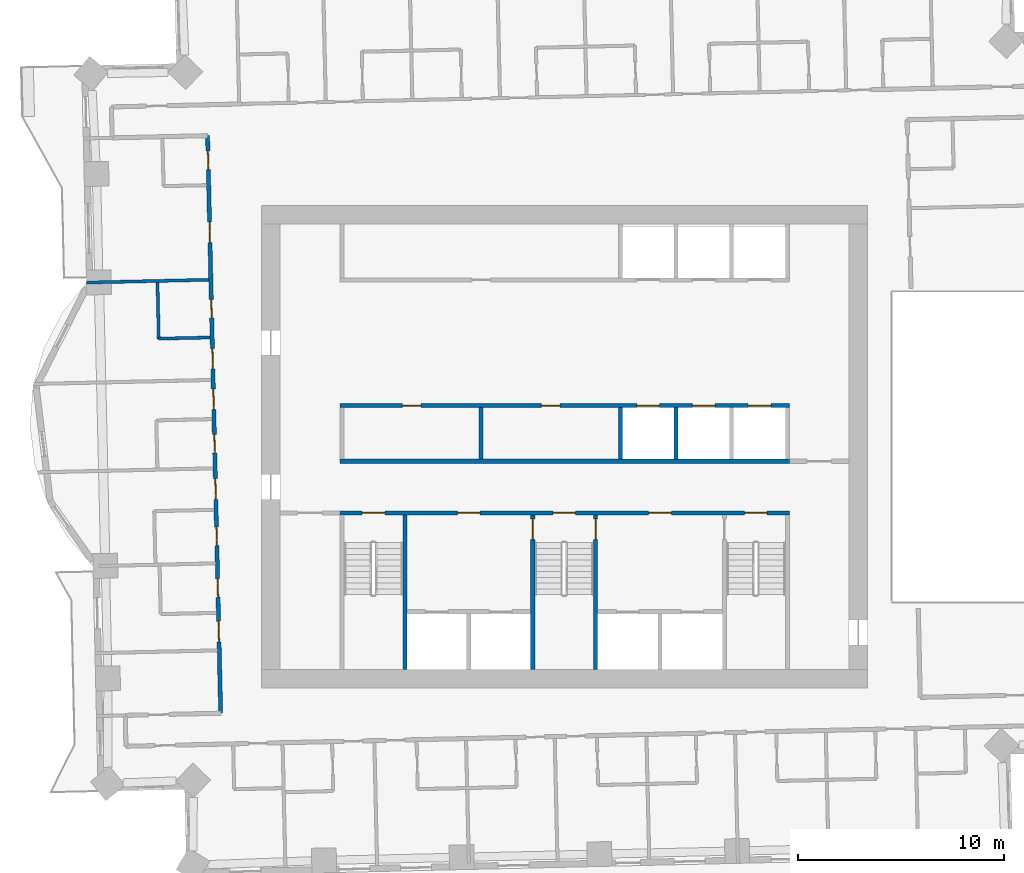
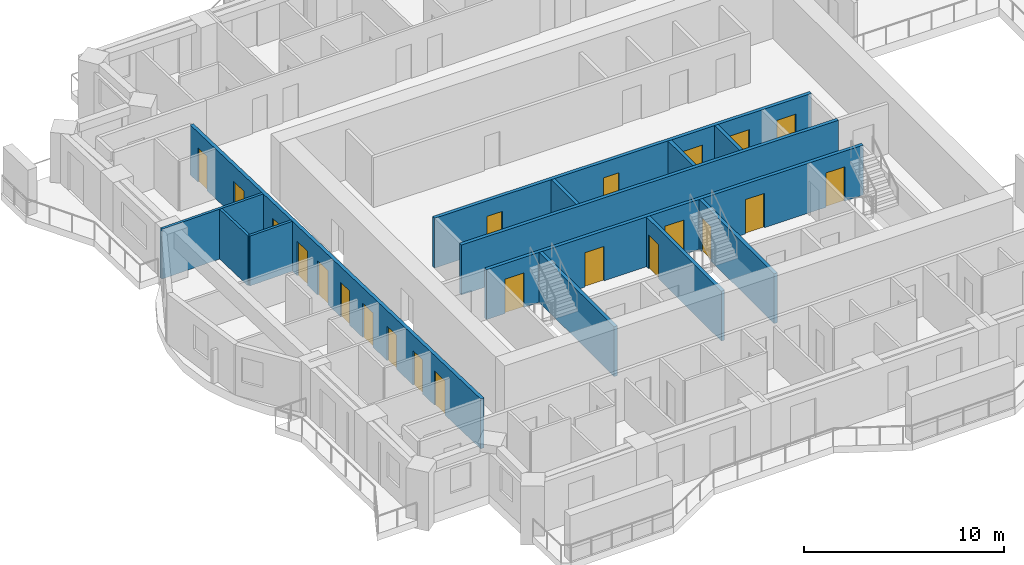
# One storey, part 8 of 16: 22 doors, 13 walls, 22 openings.
"""IFC4 building model written with IfcOpenShell, lengths in metres."""

from ifc_helpers import new_model, si_unit, direction, frame, frame_2d, origin, place, context, subcontext, project, spatial, rectangle, extrude, material, layer, layer_set, type_object, element, fill, save


model = new_model("IFC4")

# Units and contexts
model_context = context("Model", 3, precision=1e-05, world=origin(), true_north=direction((0.0, 1.0)))
body_context = subcontext(model_context, "Body", "Model", "MODEL_VIEW")
ifc_project = project(units=[si_unit("LENGTHUNIT", "METRE"), si_unit("AREAUNIT", "SQUARE_METRE"), si_unit("VOLUMEUNIT", "CUBIC_METRE"), si_unit("PLANEANGLEUNIT", "RADIAN"), si_unit("MASSUNIT", "GRAM", prefix="KILO")], contexts=[model_context])

# Site, building, storey
site_placement = place(None, origin())
site = spatial("IfcSite", under=ifc_project, at=site_placement, CompositionType="ELEMENT")
building_placement = place(site_placement, origin())
building = spatial("IfcBuilding", under=site, at=building_placement, Name="Mangrove Gate Tower", CompositionType="ELEMENT")
storey_placement = place(building_placement, frame((0.0, 0.0, 189.699951171875)))
storey = spatial("IfcBuildingStorey", under=building, at=storey_placement, Name="L48", CompositionType="ELEMENT", Elevation=189.699951171875)

# Walls
ifc_material_1 = material(Name="Concrete C32/40", Category="concrete")
ifc_layer_1 = layer(ifc_material_1, 0.199951171875)
ifc_layer_set_1 = layer_set([ifc_layer_1], Name="Core room wall 200 C32/40")
wall_type_1 = type_object("IfcWallType", Name="Core room wall 200 C32/40", PredefinedType="STANDARD", material=ifc_layer_set_1)
wall_1_placement = place(storey_placement, frame((-4.050048828125, -0.60009765625, 0.0), z_axis=(0.0, 0.0, 1.0), x_axis=(0.0, 1.0, 0.0)))
element("IfcWall", 1, at=wall_1_placement, inside=storey, type_object=wall_type_1, Name="WALL-L48-CORE-20", PredefinedType="STANDARD", context=body_context, shape_type="SweptSolid", body=[
    extrude(rectangle(XDim=2.5, YDim=0.199951171875, at=frame_2d((1.25, 0.0))), origin(), (0.0, 0.0, 1.0), 3.050048828125),
])
ifc_material_2 = material(Name="Concrete C60/75", Category="concrete")
ifc_layer_2 = layer(ifc_material_2, 0.199951171875)
ifc_layer_set_2 = layer_set([ifc_layer_2], Name="Core shaft wall 200 C60/75")
wall_type_2 = type_object("IfcWallType", Name="Core shaft wall 200 C60/75", PredefinedType="SHEAR", material=ifc_layer_set_2)
wall_2_placement = place(storey_placement, frame((-10.89990234375, -0.699951171875, 0.0), z_axis=(0.0, 0.0, 1.0), x_axis=(1.0, 0.0, 0.0)))
element("IfcWall", 2, at=wall_2_placement, inside=storey, type_object=wall_type_2, Name="WALL-L48-CORE-6", PredefinedType="SHEAR", context=body_context, shape_type="SweptSolid", body=[
    extrude(rectangle(XDim=21.7998046875, YDim=0.199951171875, at=frame_2d((10.89990234375, 0.0))), origin(), (0.0, 0.0, 1.0), 3.050048828125),
])

# Wall, openings, doors
wall_3_placement = place(storey_placement, frame((-10.89990234375, 2.0, 0.0), z_axis=(0.0, 0.0, 1.0), x_axis=(1.0, 0.0, 0.0)))
wall_3 = element("IfcWall", 3, at=wall_3_placement, inside=storey, type_object=wall_type_2, Name="WALL-L48-CORE-7", PredefinedType="SHEAR", context=body_context, shape_type="SweptSolid", body=[
    extrude(rectangle(XDim=21.7998046875, YDim=0.199951171875, at=frame_2d((10.89990234375, 0.0))), origin(), (0.0, 0.0, 1.0), 3.050048828125),
])
opening_1_placement = place(wall_3_placement, frame((14.39990234375, 0.0, 0.0)))
opening_1 = element("IfcOpeningElement", 4, at=opening_1_placement, cuts=wall_3, Name="Opening LD", PredefinedType="OPENING", context=body_context, shape_type="SweptSolid", body=[
    extrude(rectangle(XDim=1.10009765625, YDim=2.10009765625, at=frame_2d((0.550048828125, 1.050048828125))), frame((0.0, 0.10986328125, 0.0), z_axis=(0.0, -1.0, 0.0), x_axis=(1.0, 0.0, 0.0)), (0.0, 0.0, 1.0), 0.219970703125),
])
opening_2_placement = place(wall_3_placement, frame((17.10009765625, 0.0, 0.0)))
opening_2 = element("IfcOpeningElement", 5, at=opening_2_placement, cuts=wall_3, Name="Opening LD", PredefinedType="OPENING", context=body_context, shape_type="SweptSolid", body=[
    extrude(rectangle(XDim=1.10009765625, YDim=2.10009765625, at=frame_2d((0.550048828125, 1.050048828125))), frame((0.0, 0.10986328125, 0.0), z_axis=(0.0, -1.0, 0.0), x_axis=(1.0, 0.0, 0.0)), (0.0, 0.0, 1.0), 0.219970703125),
])
opening_3_placement = place(wall_3_placement, frame((19.800048828125, 0.0, 0.0)))
opening_3 = element("IfcOpeningElement", 6, at=opening_3_placement, cuts=wall_3, Name="Opening LD", PredefinedType="OPENING", context=body_context, shape_type="SweptSolid", body=[
    extrude(rectangle(XDim=1.10009765625, YDim=2.10009765625, at=frame_2d((0.550048828125, 1.050048828125))), frame((0.0, 0.10986328125, 0.0), z_axis=(0.0, -1.0, 0.0), x_axis=(1.0, 0.0, 0.0)), (0.0, 0.0, 1.0), 0.219970703125),
])
opening_4_placement = place(wall_3_placement, frame((3.02490234375, 0.0, 0.0)))
opening_4 = element("IfcOpeningElement", 7, at=opening_4_placement, cuts=wall_3, Name="Opening KD", PredefinedType="OPENING", context=body_context, shape_type="SweptSolid", body=[
    extrude(rectangle(XDim=0.89990234375, YDim=2.10009765625, at=frame_2d((0.449951171875, 1.050048828125))), frame((0.0, 0.10986328125, 0.0), z_axis=(0.0, -1.0, 0.0), x_axis=(1.0, 0.0, 0.0)), (0.0, 0.0, 1.0), 0.219970703125),
])
opening_5_placement = place(wall_3_placement, frame((9.77490234375, 0.0, 0.0)))
opening_5 = element("IfcOpeningElement", 8, at=opening_5_placement, cuts=wall_3, Name="Opening RD", PredefinedType="OPENING", context=body_context, shape_type="SweptSolid", body=[
    extrude(rectangle(XDim=0.89990234375, YDim=2.10009765625, at=frame_2d((0.449951171875, 1.050048828125))), frame((0.0, 0.10986328125, 0.0), z_axis=(0.0, -1.0, 0.0), x_axis=(1.0, 0.0, 0.0)), (0.0, 0.0, 1.0), 0.219970703125),
])
ifc_material_3 = material(Name="Fire-rated steel door set", Category="steel")
door_type_1 = type_object("IfcDoorType", Name="Core room door FD30S 900x2100", OperationType="SINGLE_SWING_RIGHT", PredefinedType="DOOR", material=ifc_material_3)
door_1_placement = place(opening_4_placement, origin())
door_1 = element("IfcDoor", 9, at=door_1_placement, inside=storey, type_object=door_type_1, Name="Core room door Linen store", OperationType="SINGLE_SWING_RIGHT", OverallHeight=2.10009765625, OverallWidth=0.89990234375, PredefinedType="DOOR", context=body_context, shape_type="SweptSolid", body=[
    extrude(rectangle(XDim=0.89990234375, YDim=2.10009765625, at=frame_2d((0.449951171875, 1.050048828125))), frame((0.0, 0.02490234375, 0.0), z_axis=(0.0, -1.0, 0.0), x_axis=(1.0, 0.0, 0.0)), (0.0, 0.0, 1.0), 0.050048828125),
])
fill(opening_4, door_1)
ifc_material_4 = material(Name="Stainless steel 316", Category="steel")
door_type_2 = type_object("IfcDoorType", Name="Lift landing door 1100x2100", OperationType="SLIDING_TO_LEFT", PredefinedType="DOOR", material=ifc_material_4)
door_2_placement = place(opening_1_placement, origin())
door_2 = element("IfcDoor", 10, at=door_2_placement, inside=storey, type_object=door_type_2, Name="Landing door LD M01", OperationType="SLIDING_TO_LEFT", OverallHeight=2.10009765625, OverallWidth=1.10009765625, PredefinedType="DOOR", context=body_context, shape_type="SweptSolid", body=[
    extrude(rectangle(XDim=1.10009765625, YDim=2.10009765625, at=frame_2d((0.550048828125, 1.050048828125))), frame((0.0, 0.02490234375, 0.0), z_axis=(0.0, -1.0, 0.0), x_axis=(1.0, 0.0, 0.0)), (0.0, 0.0, 1.0), 0.050048828125),
])
fill(opening_1, door_2)
door_3_placement = place(opening_2_placement, origin())
door_3 = element("IfcDoor", 11, at=door_3_placement, inside=storey, type_object=door_type_2, Name="Landing door LD M02", OperationType="SLIDING_TO_LEFT", OverallHeight=2.10009765625, OverallWidth=1.10009765625, PredefinedType="DOOR", context=body_context, shape_type="SweptSolid", body=[
    extrude(rectangle(XDim=1.10009765625, YDim=2.10009765625, at=frame_2d((0.550048828125, 1.050048828125))), frame((0.0, 0.02490234375, 0.0), z_axis=(0.0, -1.0, 0.0), x_axis=(1.0, 0.0, 0.0)), (0.0, 0.0, 1.0), 0.050048828125),
])
fill(opening_2, door_3)
door_4_placement = place(opening_3_placement, origin())
door_4 = element("IfcDoor", 12, at=door_4_placement, inside=storey, type_object=door_type_2, Name="Landing door LD M03", OperationType="SLIDING_TO_LEFT", OverallHeight=2.10009765625, OverallWidth=1.10009765625, PredefinedType="DOOR", context=body_context, shape_type="SweptSolid", body=[
    extrude(rectangle(XDim=1.10009765625, YDim=2.10009765625, at=frame_2d((0.550048828125, 1.050048828125))), frame((0.0, 0.02490234375, 0.0), z_axis=(0.0, -1.0, 0.0), x_axis=(1.0, 0.0, 0.0)), (0.0, 0.0, 1.0), 0.050048828125),
])
fill(opening_3, door_4)
ifc_material_5 = material(Name="Fire-rated steel door set", Category="steel")
door_type_3 = type_object("IfcDoorType", Name="Riser door FD30S 900x2100", OperationType="SINGLE_SWING_LEFT", PredefinedType="DOOR", material=ifc_material_5)
door_5_placement = place(opening_5_placement, origin())
door_5 = element("IfcDoor", 13, at=door_5_placement, inside=storey, type_object=door_type_3, Name="Riser door Switch room", OperationType="SINGLE_SWING_LEFT", OverallHeight=2.10009765625, OverallWidth=0.89990234375, PredefinedType="DOOR", context=body_context, shape_type="SweptSolid", body=[
    extrude(rectangle(XDim=0.89990234375, YDim=2.10009765625, at=frame_2d((0.449951171875, 1.050048828125))), frame((0.0, 0.02490234375, 0.0), z_axis=(0.0, -1.0, 0.0), x_axis=(1.0, 0.0, 0.0)), (0.0, 0.0, 1.0), 0.050048828125),
])
fill(opening_5, door_5)

# Walls
for number, where, z_axis, x_axis, name in (
    (14, (2.699951171875, -0.60009765625, 0.0), (0.0, 0.0, 1.0), (0.0, 1.0, 0.0), "WALL-L48-CORE-21"),
    (15, (5.39990234375, -0.60009765625, 0.0), (0.0, 0.0, 1.0), (0.0, 1.0, 0.0), "WALL-L48-CORE-22"),
):
    element("IfcWall", number, at=place(storey_placement, frame(where, z_axis=z_axis, x_axis=x_axis)), inside=storey, type_object=wall_type_2, Name=name, PredefinedType="SHEAR", context=body_context, shape_type="SweptSolid", body=[
        extrude(rectangle(XDim=2.5, YDim=0.199951171875, at=frame_2d((1.25, 0.0))), origin(), (0.0, 0.0, 1.0), 3.050048828125),
    ])

# Wall, openings, doors
ifc_material_6 = material(Name="Concrete C60/75", Category="concrete")
ifc_layer_3 = layer(ifc_material_6, 0.199951171875)
ifc_layer_set_3 = layer_set([ifc_layer_3], Name="Core stair wall 200 C60/75")
wall_type_3 = type_object("IfcWallType", Name="Core stair wall 200 C60/75", PredefinedType="SHEAR", material=ifc_layer_set_3)
wall_4_placement = place(storey_placement, frame((-10.89990234375, -3.199951171875, 0.0), z_axis=(0.0, 0.0, 1.0), x_axis=(1.0, 0.0, 0.0)))
wall_4 = element("IfcWall", 16, at=wall_4_placement, inside=storey, type_object=wall_type_3, Name="WALL-L48-CORE-5", PredefinedType="SHEAR", context=body_context, shape_type="SweptSolid", body=[
    extrude(rectangle(XDim=21.7998046875, YDim=0.199951171875, at=frame_2d((10.89990234375, 0.0))), origin(), (0.0, 0.0, 1.0), 3.050048828125),
])
opening_6_placement = place(wall_4_placement, frame((1.074951171875, 0.0, 0.0)))
opening_6 = element("IfcOpeningElement", 17, at=opening_6_placement, cuts=wall_4, Name="Opening STD11", PredefinedType="OPENING", context=body_context, shape_type="SweptSolid", body=[
    extrude(rectangle(XDim=1.10009765625, YDim=2.10009765625, at=frame_2d((0.550048828125, 1.050048828125))), frame((0.0, 0.10986328125, 0.0), z_axis=(0.0, -1.0, 0.0), x_axis=(1.0, 0.0, 0.0)), (0.0, 0.0, 1.0), 0.219970703125),
])
opening_7_placement = place(wall_4_placement, frame((10.324951171875, 0.0, 0.0)))
opening_7 = element("IfcOpeningElement", 18, at=opening_7_placement, cuts=wall_4, Name="Opening STD11", PredefinedType="OPENING", context=body_context, shape_type="SweptSolid", body=[
    extrude(rectangle(XDim=1.10009765625, YDim=2.10009765625, at=frame_2d((0.550048828125, 1.050048828125))), frame((0.0, 0.10986328125, 0.0), z_axis=(0.0, -1.0, 0.0), x_axis=(1.0, 0.0, 0.0)), (0.0, 0.0, 1.0), 0.219970703125),
])
opening_8_placement = place(wall_4_placement, frame((19.625, 0.0, 0.0)))
opening_8 = element("IfcOpeningElement", 19, at=opening_8_placement, cuts=wall_4, Name="Opening STD11", PredefinedType="OPENING", context=body_context, shape_type="SweptSolid", body=[
    extrude(rectangle(XDim=1.10009765625, YDim=2.10009765625, at=frame_2d((0.550048828125, 1.050048828125))), frame((0.0, 0.10986328125, 0.0), z_axis=(0.0, -1.0, 0.0), x_axis=(1.0, 0.0, 0.0)), (0.0, 0.0, 1.0), 0.219970703125),
])
opening_9_placement = place(wall_4_placement, frame((5.699951171875, 0.0, 0.0)))
opening_9 = element("IfcOpeningElement", 20, at=opening_9_placement, cuts=wall_4, Name="Opening FL", PredefinedType="OPENING", context=body_context, shape_type="SweptSolid", body=[
    extrude(rectangle(XDim=1.10009765625, YDim=2.10009765625, at=frame_2d((0.550048828125, 1.050048828125))), frame((0.0, 0.10986328125, 0.0), z_axis=(0.0, -1.0, 0.0), x_axis=(1.0, 0.0, 0.0)), (0.0, 0.0, 1.0), 0.219970703125),
])
opening_10_placement = place(wall_4_placement, frame((14.97509765625, 0.0, 0.0)))
opening_10 = element("IfcOpeningElement", 21, at=opening_10_placement, cuts=wall_4, Name="Opening FL", PredefinedType="OPENING", context=body_context, shape_type="SweptSolid", body=[
    extrude(rectangle(XDim=1.10009765625, YDim=2.10009765625, at=frame_2d((0.550048828125, 1.050048828125))), frame((0.0, 0.10986328125, 0.0), z_axis=(0.0, -1.0, 0.0), x_axis=(1.0, 0.0, 0.0)), (0.0, 0.0, 1.0), 0.219970703125),
])
ifc_material_7 = material(Name="Fire-rated steel door set", Category="steel")
door_type_4 = type_object("IfcDoorType", Name="Lobby door FD60 1100x2100", OperationType="SINGLE_SWING_LEFT", PredefinedType="DOOR", material=ifc_material_7)
door_6_placement = place(opening_9_placement, origin())
door_6 = element("IfcDoor", 22, at=door_6_placement, inside=storey, type_object=door_type_4, Name="Lobby door service lobby", OperationType="SINGLE_SWING_LEFT", OverallHeight=2.10009765625, OverallWidth=1.10009765625, PredefinedType="DOOR", context=body_context, shape_type="SweptSolid", body=[
    extrude(rectangle(XDim=1.10009765625, YDim=2.10009765625, at=frame_2d((0.550048828125, 1.050048828125))), frame((0.0, 0.02490234375, 0.0), z_axis=(0.0, -1.0, 0.0), x_axis=(1.0, 0.0, 0.0)), (0.0, 0.0, 1.0), 0.050048828125),
])
fill(opening_9, door_6)
door_7_placement = place(opening_10_placement, origin())
door_7 = element("IfcDoor", 23, at=door_7_placement, inside=storey, type_object=door_type_4, Name="Lobby door fire-fighting lobby", OperationType="SINGLE_SWING_LEFT", OverallHeight=2.10009765625, OverallWidth=1.10009765625, PredefinedType="DOOR", context=body_context, shape_type="SweptSolid", body=[
    extrude(rectangle(XDim=1.10009765625, YDim=2.10009765625, at=frame_2d((0.550048828125, 1.050048828125))), frame((0.0, 0.02490234375, 0.0), z_axis=(0.0, -1.0, 0.0), x_axis=(1.0, 0.0, 0.0)), (0.0, 0.0, 1.0), 0.050048828125),
])
fill(opening_10, door_7)
ifc_material_8 = material(Name="Fire-rated steel door set", Category="steel")
door_type_5 = type_object("IfcDoorType", Name="Stair door FD60 1100x2100", OperationType="SINGLE_SWING_RIGHT", PredefinedType="DOOR", material=ifc_material_8)
door_8_placement = place(opening_6_placement, origin())
door_8 = element("IfcDoor", 24, at=door_8_placement, inside=storey, type_object=door_type_5, Name="Stair door Stair 1", OperationType="SINGLE_SWING_RIGHT", OverallHeight=2.10009765625, OverallWidth=1.10009765625, PredefinedType="DOOR", context=body_context, shape_type="SweptSolid", body=[
    extrude(rectangle(XDim=1.10009765625, YDim=2.10009765625, at=frame_2d((0.550048828125, 1.050048828125))), frame((0.0, 0.02490234375, 0.0), z_axis=(0.0, -1.0, 0.0), x_axis=(1.0, 0.0, 0.0)), (0.0, 0.0, 1.0), 0.050048828125),
])
fill(opening_6, door_8)
door_9_placement = place(opening_7_placement, origin())
door_9 = element("IfcDoor", 25, at=door_9_placement, inside=storey, type_object=door_type_5, Name="Stair door Stair 2", OperationType="SINGLE_SWING_RIGHT", OverallHeight=2.10009765625, OverallWidth=1.10009765625, PredefinedType="DOOR", context=body_context, shape_type="SweptSolid", body=[
    extrude(rectangle(XDim=1.10009765625, YDim=2.10009765625, at=frame_2d((0.550048828125, 1.050048828125))), frame((0.0, 0.02490234375, 0.0), z_axis=(0.0, -1.0, 0.0), x_axis=(1.0, 0.0, 0.0)), (0.0, 0.0, 1.0), 0.050048828125),
])
fill(opening_7, door_9)
door_10_placement = place(opening_8_placement, origin())
door_10 = element("IfcDoor", 26, at=door_10_placement, inside=storey, type_object=door_type_5, Name="Stair door Stair 3", OperationType="SINGLE_SWING_RIGHT", OverallHeight=2.10009765625, OverallWidth=1.10009765625, PredefinedType="DOOR", context=body_context, shape_type="SweptSolid", body=[
    extrude(rectangle(XDim=1.10009765625, YDim=2.10009765625, at=frame_2d((0.550048828125, 1.050048828125))), frame((0.0, 0.02490234375, 0.0), z_axis=(0.0, -1.0, 0.0), x_axis=(1.0, 0.0, 0.0)), (0.0, 0.0, 1.0), 0.050048828125),
])
fill(opening_8, door_10)

# Wall
wall_5_placement = place(storey_placement, frame((-7.75, -10.800048828125, 0.0), z_axis=(0.0, 0.0, 1.0), x_axis=(0.0, 1.0, 0.0)))
element("IfcWall", 27, at=wall_5_placement, inside=storey, type_object=wall_type_3, Name="WALL-L48-CORE-10", PredefinedType="SHEAR", context=body_context, shape_type="SweptSolid", body=[
    extrude(rectangle(XDim=7.5, YDim=0.199951171875, at=frame_2d((3.75, 0.0))), origin(), (0.0, 0.0, 1.0), 3.050048828125),
])

# Wall, opening, door
wall_6_placement = place(storey_placement, frame((-1.550048828125, -10.800048828125, 0.0), z_axis=(0.0, 0.0, 1.0), x_axis=(0.0, 1.0, 0.0)))
wall_6 = element("IfcWall", 28, at=wall_6_placement, inside=storey, type_object=wall_type_3, Name="WALL-L48-CORE-11", PredefinedType="SHEAR", context=body_context, shape_type="SweptSolid", body=[
    extrude(rectangle(XDim=7.5, YDim=0.199951171875, at=frame_2d((3.75, 0.0))), origin(), (0.0, 0.0, 1.0), 3.050048828125),
])
opening_11_placement = place(wall_6_placement, frame((6.300048828125, 0.0, 0.0)))
opening_11 = element("IfcOpeningElement", 29, at=opening_11_placement, cuts=wall_6, Name="Opening STD10", PredefinedType="OPENING", context=body_context, shape_type="SweptSolid", body=[
    extrude(rectangle(XDim=1.0, YDim=2.10009765625, at=frame_2d((0.5, 1.050048828125))), frame((0.0, 0.10986328125, 0.0), z_axis=(0.0, -1.0, 0.0), x_axis=(1.0, 0.0, 0.0)), (0.0, 0.0, 1.0), 0.219970703125),
])
ifc_material_9 = material(Name="Fire-rated steel door set", Category="steel")
door_type_6 = type_object("IfcDoorType", Name="Stair door FD60 1000x2100", OperationType="SINGLE_SWING_RIGHT", PredefinedType="DOOR", material=ifc_material_9)
door_11_placement = place(opening_11_placement, origin())
door_11 = element("IfcDoor", 30, at=door_11_placement, inside=storey, type_object=door_type_6, Name="Stair door Stair 2 from service lobby", OperationType="SINGLE_SWING_RIGHT", OverallHeight=2.10009765625, OverallWidth=1.0, PredefinedType="DOOR", context=body_context, shape_type="SweptSolid", body=[
    extrude(rectangle(XDim=1.0, YDim=2.10009765625, at=frame_2d((0.5, 1.050048828125))), frame((0.0, 0.02490234375, 0.0), z_axis=(0.0, -1.0, 0.0), x_axis=(1.0, 0.0, 0.0)), (0.0, 0.0, 1.0), 0.050048828125),
])
fill(opening_11, door_11)

wall_7_placement = place(storey_placement, frame((1.5, -10.800048828125, 0.0), z_axis=(0.0, 0.0, 1.0), x_axis=(0.0, 1.0, 0.0)))
wall_7 = element("IfcWall", 31, at=wall_7_placement, inside=storey, type_object=wall_type_3, Name="WALL-L48-CORE-12", PredefinedType="SHEAR", context=body_context, shape_type="SweptSolid", body=[
    extrude(rectangle(XDim=7.5, YDim=0.199951171875, at=frame_2d((3.75, 0.0))), origin(), (0.0, 0.0, 1.0), 3.050048828125),
])
opening_12_placement = place(wall_7_placement, frame((6.300048828125, 0.0, 0.0)))
opening_12 = element("IfcOpeningElement", 32, at=opening_12_placement, cuts=wall_7, Name="Opening STD10", PredefinedType="OPENING", context=body_context, shape_type="SweptSolid", body=[
    extrude(rectangle(XDim=1.0, YDim=2.10009765625, at=frame_2d((0.5, 1.050048828125))), frame((0.0, 0.10986328125, 0.0), z_axis=(0.0, -1.0, 0.0), x_axis=(1.0, 0.0, 0.0)), (0.0, 0.0, 1.0), 0.219970703125),
])
door_12_placement = place(opening_12_placement, origin())
door_12 = element("IfcDoor", 33, at=door_12_placement, inside=storey, type_object=door_type_6, Name="Stair door Stair 2 from fire-fighting lobby", OperationType="SINGLE_SWING_RIGHT", OverallHeight=2.10009765625, OverallWidth=1.0, PredefinedType="DOOR", context=body_context, shape_type="SweptSolid", body=[
    extrude(rectangle(XDim=1.0, YDim=2.10009765625, at=frame_2d((0.5, 1.050048828125))), frame((0.0, 0.02490234375, 0.0), z_axis=(0.0, -1.0, 0.0), x_axis=(1.0, 0.0, 0.0)), (0.0, 0.0, 1.0), 0.050048828125),
])
fill(opening_12, door_12)

# Wall, openings, doors
ifc_material_10 = material(Name="Gypsum board on steel stud, EI 60", Category="steel")
ifc_layer_4 = layer(ifc_material_10, 0.199951171875)
ifc_layer_set_4 = layer_set([ifc_layer_4], Name="Corridor wall EI 60")
wall_type_4 = type_object("IfcWallType", Name="Corridor wall EI 60", PredefinedType="PARTITIONING", material=ifc_layer_set_4)
wall_8_placement = place(storey_placement, frame((-16.68408203125, -12.9189453125, 0.0), z_axis=(0.0, 0.0, 1.0), x_axis=(-0.022694293906, 0.999742451346, 0.0)))
wall_8 = element("IfcWall", 34, at=wall_8_placement, inside=storey, type_object=wall_type_4, Name="WALL-L48-029", PredefinedType="PARTITIONING", context=body_context, shape_type="SweptSolid", body=[
    extrude(rectangle(XDim=28.024169921875, YDim=0.199951171875, at=frame_2d((14.01220703125, 0.0))), origin(), (0.0, 0.0, 1.0), 3.050048828125),
])
opening_13_placement = place(wall_8_placement, frame((22.824951171875, 0.0, 0.0)))
opening_13 = element("IfcOpeningElement", 35, at=opening_13_placement, cuts=wall_8, Name="Opening AD", PredefinedType="OPENING", context=body_context, shape_type="SweptSolid", body=[
    extrude(rectangle(XDim=1.0, YDim=2.10009765625, at=frame_2d((0.5, 1.050048828125))), frame((0.0, 0.10986328125, 0.0), z_axis=(0.0, -1.0, 0.0), x_axis=(1.0, 0.0, 0.0)), (0.0, 0.0, 1.0), 0.219970703125),
])
opening_14_placement = place(wall_8_placement, frame((26.3740234375, 0.0, 0.0)))
opening_14 = element("IfcOpeningElement", 36, at=opening_14_placement, cuts=wall_8, Name="Opening SD", PredefinedType="OPENING", context=body_context, shape_type="SweptSolid", body=[
    extrude(rectangle(XDim=0.89990234375, YDim=2.10009765625, at=frame_2d((0.449951171875, 1.050048828125))), frame((0.0, 0.10986328125, 0.0), z_axis=(0.0, -1.0, 0.0), x_axis=(1.0, 0.0, 0.0)), (0.0, 0.0, 1.0), 0.219970703125),
])
opening_15_placement = place(wall_8_placement, frame((16.699951171875, 0.0, 0.0)))
opening_15 = element("IfcOpeningElement", 37, at=opening_15_placement, cuts=wall_8, Name="Opening AD", PredefinedType="OPENING", context=body_context, shape_type="SweptSolid", body=[
    extrude(rectangle(XDim=1.0, YDim=2.10009765625, at=frame_2d((0.5, 1.050048828125))), frame((0.0, 0.10986328125, 0.0), z_axis=(0.0, -1.0, 0.0), x_axis=(1.0, 0.0, 0.0)), (0.0, 0.0, 1.0), 0.219970703125),
])
opening_16_placement = place(wall_8_placement, frame((19.175048828125, 0.0, 0.0)))
opening_16 = element("IfcOpeningElement", 38, at=opening_16_placement, cuts=wall_8, Name="Opening SD", PredefinedType="OPENING", context=body_context, shape_type="SweptSolid", body=[
    extrude(rectangle(XDim=0.89990234375, YDim=2.10009765625, at=frame_2d((0.449951171875, 1.050048828125))), frame((0.0, 0.10986328125, 0.0), z_axis=(0.0, -1.0, 0.0), x_axis=(1.0, 0.0, 0.0)), (0.0, 0.0, 1.0), 0.219970703125),
])
opening_17_placement = place(wall_8_placement, frame((14.72509765625, 0.0, 0.0)))
opening_17 = element("IfcOpeningElement", 39, at=opening_17_placement, cuts=wall_8, Name="Opening AD", PredefinedType="OPENING", context=body_context, shape_type="SweptSolid", body=[
    extrude(rectangle(XDim=1.0, YDim=2.10009765625, at=frame_2d((0.5, 1.050048828125))), frame((0.0, 0.10986328125, 0.0), z_axis=(0.0, -1.0, 0.0), x_axis=(1.0, 0.0, 0.0)), (0.0, 0.0, 1.0), 0.219970703125),
])
opening_18_placement = place(wall_8_placement, frame((12.625, 0.0, 0.0)))
opening_18 = element("IfcOpeningElement", 40, at=opening_18_placement, cuts=wall_8, Name="Opening SD", PredefinedType="OPENING", context=body_context, shape_type="SweptSolid", body=[
    extrude(rectangle(XDim=0.89990234375, YDim=2.10009765625, at=frame_2d((0.449951171875, 1.050048828125))), frame((0.0, 0.10986328125, 0.0), z_axis=(0.0, -1.0, 0.0), x_axis=(1.0, 0.0, 0.0)), (0.0, 0.0, 1.0), 0.219970703125),
])
opening_19_placement = place(wall_8_placement, frame((10.375, 0.0, 0.0)))
opening_19 = element("IfcOpeningElement", 41, at=opening_19_placement, cuts=wall_8, Name="Opening AD", PredefinedType="OPENING", context=body_context, shape_type="SweptSolid", body=[
    extrude(rectangle(XDim=1.0, YDim=2.10009765625, at=frame_2d((0.5, 1.050048828125))), frame((0.0, 0.10986328125, 0.0), z_axis=(0.0, -1.0, 0.0), x_axis=(1.0, 0.0, 0.0)), (0.0, 0.0, 1.0), 0.219970703125),
])
opening_20_placement = place(wall_8_placement, frame((8.125, 0.0, 0.0)))
opening_20 = element("IfcOpeningElement", 42, at=opening_20_placement, cuts=wall_8, Name="Opening SD", PredefinedType="OPENING", context=body_context, shape_type="SweptSolid", body=[
    extrude(rectangle(XDim=0.89990234375, YDim=2.10009765625, at=frame_2d((0.449951171875, 1.050048828125))), frame((0.0, 0.10986328125, 0.0), z_axis=(0.0, -1.0, 0.0), x_axis=(1.0, 0.0, 0.0)), (0.0, 0.0, 1.0), 0.219970703125),
])
opening_21_placement = place(wall_8_placement, frame((3.4619140625, 0.0, 0.0)))
opening_21 = element("IfcOpeningElement", 43, at=opening_21_placement, cuts=wall_8, Name="Opening AD", PredefinedType="OPENING", context=body_context, shape_type="SweptSolid", body=[
    extrude(rectangle(XDim=1.0, YDim=2.10009765625, at=frame_2d((0.5, 1.050048828125))), frame((0.0, 0.10986328125, 0.0), z_axis=(0.0, -1.0, 0.0), x_axis=(1.0, 0.0, 0.0)), (0.0, 0.0, 1.0), 0.219970703125),
])
opening_22_placement = place(wall_8_placement, frame((5.625, 0.0, 0.0)))
opening_22 = element("IfcOpeningElement", 44, at=opening_22_placement, cuts=wall_8, Name="Opening SD", PredefinedType="OPENING", context=body_context, shape_type="SweptSolid", body=[
    extrude(rectangle(XDim=0.89990234375, YDim=2.10009765625, at=frame_2d((0.449951171875, 1.050048828125))), frame((0.0, 0.10986328125, 0.0), z_axis=(0.0, -1.0, 0.0), x_axis=(1.0, 0.0, 0.0)), (0.0, 0.0, 1.0), 0.219970703125),
])
ifc_material_11 = material(Name="Timber door leaf", Category="wood")
door_type_7 = type_object("IfcDoorType", Name="Amenity door 1000", OperationType="SINGLE_SWING_LEFT", PredefinedType="DOOR", material=ifc_material_11)
door_13_placement = place(opening_13_placement, origin())
door_13 = element("IfcDoor", 45, at=door_13_placement, inside=storey, type_object=door_type_7, Name="DOOR-L48-LNG-c5a", OperationType="SINGLE_SWING_RIGHT", OverallHeight=2.10009765625, OverallWidth=1.0, PredefinedType="DOOR", context=body_context, shape_type="SweptSolid", body=[
    extrude(rectangle(XDim=1.0, YDim=2.10009765625, at=frame_2d((0.5, 1.050048828125))), frame((0.0, 0.02490234375, 0.0), z_axis=(0.0, -1.0, 0.0), x_axis=(1.0, 0.0, 0.0)), (0.0, 0.0, 1.0), 0.050048828125),
])
fill(opening_13, door_13)
door_14_placement = place(opening_15_placement, origin())
door_14 = element("IfcDoor", 46, at=door_14_placement, inside=storey, type_object=door_type_7, Name="DOOR-L48-GAM-c5a", OperationType="SINGLE_SWING_LEFT", OverallHeight=2.10009765625, OverallWidth=1.0, PredefinedType="DOOR", context=body_context, shape_type="SweptSolid", body=[
    extrude(rectangle(XDim=1.0, YDim=2.10009765625, at=frame_2d((0.5, 1.050048828125))), frame((0.0, 0.02490234375, 0.0), z_axis=(0.0, -1.0, 0.0), x_axis=(1.0, 0.0, 0.0)), (0.0, 0.0, 1.0), 0.050048828125),
])
fill(opening_15, door_14)
door_15_placement = place(opening_17_placement, origin())
door_15 = element("IfcDoor", 47, at=door_15_placement, inside=storey, type_object=door_type_7, Name="DOOR-L48-STU-c5b", OperationType="SINGLE_SWING_RIGHT", OverallHeight=2.10009765625, OverallWidth=1.0, PredefinedType="DOOR", context=body_context, shape_type="SweptSolid", body=[
    extrude(rectangle(XDim=1.0, YDim=2.10009765625, at=frame_2d((0.5, 1.050048828125))), frame((0.0, 0.02490234375, 0.0), z_axis=(0.0, -1.0, 0.0), x_axis=(1.0, 0.0, 0.0)), (0.0, 0.0, 1.0), 0.050048828125),
])
fill(opening_17, door_15)
door_16_placement = place(opening_19_placement, origin())
door_16 = element("IfcDoor", 48, at=door_16_placement, inside=storey, type_object=door_type_7, Name="DOOR-L48-LNG-c5b", OperationType="SINGLE_SWING_LEFT", OverallHeight=2.10009765625, OverallWidth=1.0, PredefinedType="DOOR", context=body_context, shape_type="SweptSolid", body=[
    extrude(rectangle(XDim=1.0, YDim=2.10009765625, at=frame_2d((0.5, 1.050048828125))), frame((0.0, 0.02490234375, 0.0), z_axis=(0.0, -1.0, 0.0), x_axis=(1.0, 0.0, 0.0)), (0.0, 0.0, 1.0), 0.050048828125),
])
fill(opening_19, door_16)
door_17_placement = place(opening_21_placement, origin())
door_17 = element("IfcDoor", 49, at=door_17_placement, inside=storey, type_object=door_type_7, Name="DOOR-L48-KIT-c5a", OperationType="SINGLE_SWING_RIGHT", OverallHeight=2.10009765625, OverallWidth=1.0, PredefinedType="DOOR", context=body_context, shape_type="SweptSolid", body=[
    extrude(rectangle(XDim=1.0, YDim=2.10009765625, at=frame_2d((0.5, 1.050048828125))), frame((0.0, 0.02490234375, 0.0), z_axis=(0.0, -1.0, 0.0), x_axis=(1.0, 0.0, 0.0)), (0.0, 0.0, 1.0), 0.050048828125),
])
fill(opening_21, door_17)
ifc_material_12 = material(Name="Timber door leaf", Category="wood")
door_type_8 = type_object("IfcDoorType", Name="Service room door 900", OperationType="SINGLE_SWING_LEFT", PredefinedType="DOOR", material=ifc_material_12)
door_18_placement = place(opening_14_placement, origin())
door_18 = element("IfcDoor", 50, at=door_18_placement, inside=storey, type_object=door_type_8, Name="DOOR-L48-LIN-c5a", OperationType="SINGLE_SWING_RIGHT", OverallHeight=2.10009765625, OverallWidth=0.89990234375, PredefinedType="DOOR", context=body_context, shape_type="SweptSolid", body=[
    extrude(rectangle(XDim=0.89990234375, YDim=2.10009765625, at=frame_2d((0.449951171875, 1.050048828125))), frame((0.0, 0.02490234375, 0.0), z_axis=(0.0, -1.0, 0.0), x_axis=(1.0, 0.0, 0.0)), (0.0, 0.0, 1.0), 0.050048828125),
])
fill(opening_14, door_18)
door_19_placement = place(opening_16_placement, origin())
door_19 = element("IfcDoor", 51, at=door_19_placement, inside=storey, type_object=door_type_8, Name="DOOR-L48-LDY-c5a", OperationType="SINGLE_SWING_LEFT", OverallHeight=2.10009765625, OverallWidth=0.89990234375, PredefinedType="DOOR", context=body_context, shape_type="SweptSolid", body=[
    extrude(rectangle(XDim=0.89990234375, YDim=2.10009765625, at=frame_2d((0.449951171875, 1.050048828125))), frame((0.0, 0.02490234375, 0.0), z_axis=(0.0, -1.0, 0.0), x_axis=(1.0, 0.0, 0.0)), (0.0, 0.0, 1.0), 0.050048828125),
])
fill(opening_16, door_19)
door_20_placement = place(opening_18_placement, origin())
door_20 = element("IfcDoor", 52, at=door_20_placement, inside=storey, type_object=door_type_8, Name="DOOR-L48-WC-c5a", OperationType="SINGLE_SWING_RIGHT", OverallHeight=2.10009765625, OverallWidth=0.89990234375, PredefinedType="DOOR", context=body_context, shape_type="SweptSolid", body=[
    extrude(rectangle(XDim=0.89990234375, YDim=2.10009765625, at=frame_2d((0.449951171875, 1.050048828125))), frame((0.0, 0.02490234375, 0.0), z_axis=(0.0, -1.0, 0.0), x_axis=(1.0, 0.0, 0.0)), (0.0, 0.0, 1.0), 0.050048828125),
])
fill(opening_18, door_20)
door_21_placement = place(opening_20_placement, origin())
door_21 = element("IfcDoor", 53, at=door_21_placement, inside=storey, type_object=door_type_8, Name="DOOR-L48-AWC-c5a", OperationType="SINGLE_SWING_LEFT", OverallHeight=2.10009765625, OverallWidth=0.89990234375, PredefinedType="DOOR", context=body_context, shape_type="SweptSolid", body=[
    extrude(rectangle(XDim=0.89990234375, YDim=2.10009765625, at=frame_2d((0.449951171875, 1.050048828125))), frame((0.0, 0.02490234375, 0.0), z_axis=(0.0, -1.0, 0.0), x_axis=(1.0, 0.0, 0.0)), (0.0, 0.0, 1.0), 0.050048828125),
])
fill(opening_20, door_21)
door_22_placement = place(opening_22_placement, origin())
door_22 = element("IfcDoor", 54, at=door_22_placement, inside=storey, type_object=door_type_8, Name="DOOR-L48-WC-c5b", OperationType="SINGLE_SWING_RIGHT", OverallHeight=2.10009765625, OverallWidth=0.89990234375, PredefinedType="DOOR", context=body_context, shape_type="SweptSolid", body=[
    extrude(rectangle(XDim=0.89990234375, YDim=2.10009765625, at=frame_2d((0.449951171875, 1.050048828125))), frame((0.0, 0.02490234375, 0.0), z_axis=(0.0, -1.0, 0.0), x_axis=(1.0, 0.0, 0.0)), (0.0, 0.0, 1.0), 0.050048828125),
])
fill(opening_22, door_22)

# Walls
ifc_material_13 = material(Name="Gypsum board on steel stud, EI 60", Category="steel")
ifc_layer_5 = layer(ifc_material_13, 0.14990234375)
ifc_layer_set_5 = layer_set([ifc_layer_5], Name="Party wall 150 EI 60")
wall_type_5 = type_object("IfcWallType", Name="Party wall 150 EI 60", PredefinedType="PARTITIONING", material=ifc_layer_set_5)
wall_9_placement = place(storey_placement, frame((-19.68701171875, 5.242919921875, 0.0), z_axis=(0.0, 0.0, 1.0), x_axis=(-0.022758040381, 0.999741002259, 0.0)))
element("IfcWall", 55, at=wall_9_placement, inside=storey, type_object=wall_type_5, Name="WALL-L48-043", PredefinedType="PARTITIONING", context=body_context, shape_type="SweptSolid", body=[
    extrude(rectangle(XDim=2.724853515625, YDim=0.14990234375, at=frame_2d((1.3623046875, 0.0))), origin(), (0.0, 0.0, 1.0), 3.050048828125),
])
wall_10_placement = place(storey_placement, frame((-19.69189453125, 5.248046875, 0.0), z_axis=(0.0, 0.0, 1.0), x_axis=(0.999740977561, 0.022759125332, 0.0)))
element("IfcWall", 56, at=wall_10_placement, inside=storey, type_object=wall_type_5, Name="WALL-L48-044", PredefinedType="PARTITIONING", context=body_context, shape_type="SweptSolid", body=[
    extrude(rectangle(XDim=2.49951171875, YDim=0.14990234375, at=frame_2d((1.249755859375, 0.0))), origin(), (0.0, 0.0, 1.0), 3.050048828125),
])
wall_11_placement = place(storey_placement, frame((-23.18994140625, 7.968994140625, 0.0), z_axis=(0.0, 0.0, 1.0), x_axis=(0.999741261868, 0.022746633113, 0.0)))
element("IfcWall", 57, at=wall_11_placement, inside=storey, type_object=wall_type_5, Name="WALL-L48-046", PredefinedType="PARTITIONING", context=body_context, shape_type="SweptSolid", body=[
    extrude(rectangle(XDim=5.935302734375, YDim=0.14990234375, at=frame_2d((2.9677734375, 0.0))), origin(), (0.0, 0.0, 1.0), 3.050048828125),
])

save(model, "model.ifc")
